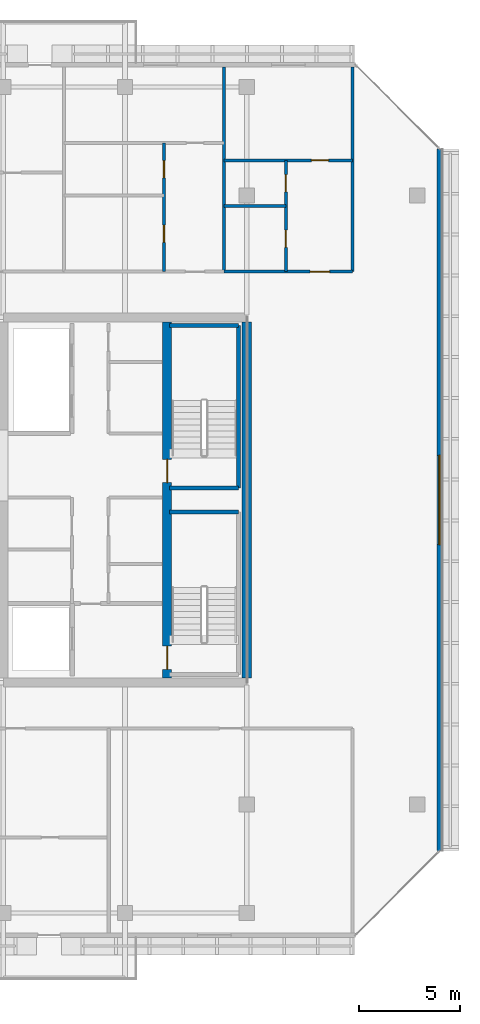
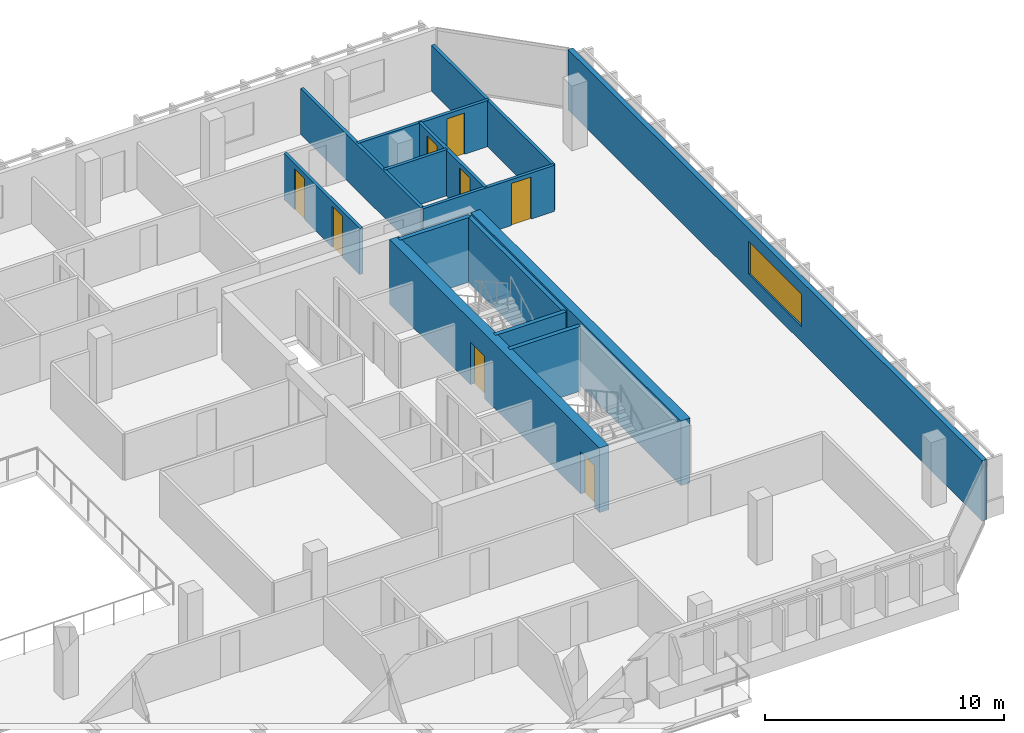
# One storey, part 19 of 25: 14 walls, 8 doors, 1 window, 9 openings.
"""IFC4 building model written with IfcOpenShell, lengths in metres."""

from ifc_helpers import new_model, si_unit, direction, frame, frame_2d, origin, place, context, subcontext, project, spatial, rectangle, extrude, material, layer, layer_set, type_object, element, fill, save


model = new_model("IFC4")

# Units and contexts
model_context = context("Model", 3, precision=1e-05, world=origin(), true_north=direction((0.0, 1.0)))
body_context = subcontext(model_context, "Body", "Model", "MODEL_VIEW")
ifc_project = project(units=[si_unit("LENGTHUNIT", "METRE"), si_unit("AREAUNIT", "SQUARE_METRE"), si_unit("VOLUMEUNIT", "CUBIC_METRE"), si_unit("PLANEANGLEUNIT", "RADIAN"), si_unit("MASSUNIT", "GRAM", prefix="KILO")], contexts=[model_context])

# Site, building, storey
site_placement = place(None, origin())
site = spatial("IfcSite", under=ifc_project, at=site_placement, CompositionType="ELEMENT")
building_placement = place(site_placement, origin())
building = spatial("IfcBuilding", under=site, at=building_placement, Name="Tanjung Sevakor Pilgrim Tower", CompositionType="ELEMENT")
storey_placement = place(building_placement, frame((0.0, 0.0, 204.929931640625)))
storey = spatial("IfcBuildingStorey", under=building, at=storey_placement, Name="L57", CompositionType="ELEMENT", Elevation=204.929931640625)

# Wall
ifc_material_1 = material(Name="Concrete C60/75", Category="concrete")
ifc_layer_1 = layer(ifc_material_1, 0.449951171875)
ifc_layer_set_1 = layer_set([ifc_layer_1], Name="WALL-CW-450")
wall_type_1 = type_object("IfcWallType", Name="WALL-CW-450", PredefinedType="SHEAR", material=ifc_layer_set_1)
wall_1_placement = place(storey_placement, frame((90.0, 24.824951171875, 0.0), z_axis=(0.0, 0.0, 1.0), x_axis=(0.0, 1.0, 0.0)))
element("IfcWall", 1, at=wall_1_placement, inside=storey, type_object=wall_type_1, Name="L57 E Core Outer Shear Wall", PredefinedType="SHEAR", context=body_context, shape_type="SweptSolid", body=[
    extrude(rectangle(XDim=17.550048828125, YDim=0.449951171875, at=frame_2d((8.77490234375, 0.0))), origin(), (0.0, 0.0, 1.0), 3.300048828125),
])

# Wall, openings, doors
wall_2_placement = place(storey_placement, frame((86.074951171875, 24.824951171875, 0.0), z_axis=(0.0, 0.0, 1.0), x_axis=(0.0, 1.0, 0.0)))
wall_2 = element("IfcWall", 2, at=wall_2_placement, inside=storey, type_object=wall_type_1, Name="L57 E Core Stair Spine Wall", PredefinedType="SHEAR", context=body_context, shape_type="SweptSolid", body=[
    extrude(rectangle(XDim=17.550048828125, YDim=0.449951171875, at=frame_2d((8.77490234375, 0.0))), origin(), (0.0, 0.0, 1.0), 3.300048828125),
])
opening_1_placement = place(wall_2_placement, frame((0.425048828125, 0.0, 0.0)))
opening_1 = element("IfcOpeningElement", 3, at=opening_1_placement, cuts=wall_2, Name="Opening ID-ST1", PredefinedType="OPENING", context=body_context, shape_type="SweptSolid", body=[
    extrude(rectangle(XDim=1.14990234375, YDim=2.14990234375, at=frame_2d((0.574951171875, 1.074951171875))), frame((0.0, 0.23486328125, 0.0), z_axis=(0.0, -1.0, 0.0), x_axis=(1.0, 0.0, 0.0)), (0.0, 0.0, 1.0), 0.469970703125),
])
opening_2_placement = place(wall_2_placement, frame((9.625, 0.0, 0.0)))
opening_2 = element("IfcOpeningElement", 4, at=opening_2_placement, cuts=wall_2, Name="Opening ID-ST1", PredefinedType="OPENING", context=body_context, shape_type="SweptSolid", body=[
    extrude(rectangle(XDim=1.14990234375, YDim=2.14990234375, at=frame_2d((0.574951171875, 1.074951171875))), frame((0.0, 0.23486328125, 0.0), z_axis=(0.0, -1.0, 0.0), x_axis=(1.0, 0.0, 0.0)), (0.0, 0.0, 1.0), 0.469970703125),
])
ifc_material_2 = material(Name="Fire-Rated Steel S355J2", Category="steel")
door_type_1 = type_object("IfcDoorType", Name="DT-FIRE-1150", OperationType="NOTDEFINED", PredefinedType="DOOR", material=ifc_material_2)
door_1_placement = place(opening_1_placement, origin())
door_1 = element("IfcDoor", 5, at=door_1_placement, inside=storey, type_object=door_type_1, Name="L57 TS-E1 Stair Fire Door", OperationType="SINGLE_SWING_RIGHT", OverallHeight=2.14990234375, OverallWidth=1.14990234375, PredefinedType="DOOR", context=body_context, shape_type="SweptSolid", body=[
    extrude(rectangle(XDim=1.14990234375, YDim=2.14990234375, at=frame_2d((0.574951171875, 1.074951171875))), frame((0.0, 0.02490234375, 0.0), z_axis=(0.0, -1.0, 0.0), x_axis=(1.0, 0.0, 0.0)), (0.0, 0.0, 1.0), 0.050048828125),
])
fill(opening_1, door_1)
door_2_placement = place(opening_2_placement, origin())
door_2 = element("IfcDoor", 6, at=door_2_placement, inside=storey, type_object=door_type_1, Name="L57 TS-E2 Stair Fire Door", OperationType="SINGLE_SWING_LEFT", OverallHeight=2.14990234375, OverallWidth=1.14990234375, PredefinedType="DOOR", context=body_context, shape_type="SweptSolid", body=[
    extrude(rectangle(XDim=1.14990234375, YDim=2.14990234375, at=frame_2d((0.574951171875, 1.074951171875))), frame((0.0, 0.02490234375, 0.0), z_axis=(0.0, -1.0, 0.0), x_axis=(1.0, 0.0, 0.0)), (0.0, 0.0, 1.0), 0.050048828125),
])
fill(opening_2, door_2)

# Walls
ifc_material_3 = material(Name="Concrete C40/50", Category="concrete")
ifc_layer_2 = layer(ifc_material_3, 0.14990234375)
ifc_layer_set_2 = layer_set([ifc_layer_2], Name="WT-COMP-150")
wall_type_2 = type_object("IfcWallType", Name="WT-COMP-150", PredefinedType="SOLIDWALL", material=ifc_layer_set_2)
for number, where, z_axis, x_axis, name in (
    (7, (95.199951171875, 44.85009765625, 0.0), (0.0, 0.0, 1.0), (0.0, 1.0, 0.0), "L57 Partition IW-L57-081"),
    (8, (88.884521484375, 44.85009765625, 0.0), (0.0, 0.0, 1.0), (0.0, 1.0, 0.0), "L57 Partition IW-L57-096"),
):
    element("IfcWall", number, at=place(storey_placement, frame(where, z_axis=z_axis, x_axis=x_axis)), inside=storey, type_object=wall_type_2, Name=name, PredefinedType="SOLIDWALL", context=body_context, shape_type="SweptSolid", body=[
        extrude(rectangle(XDim=10.079833984375, YDim=0.14990234375, at=frame_2d((5.0400390625, 0.0))), origin(), (0.0, 0.0, 1.0), 2.35009765625),
    ])

# Wall, opening, door
wall_3_placement = place(storey_placement, frame((88.884521484375, 44.85009765625, 0.0), z_axis=(0.0, 0.0, 1.0), x_axis=(1.0, 0.0, 0.0)))
wall_3 = element("IfcWall", 9, at=wall_3_placement, inside=storey, type_object=wall_type_2, Name="L57 Partition IW-L57-104", PredefinedType="SOLIDWALL", context=body_context, shape_type="SweptSolid", body=[
    extrude(rectangle(XDim=6.3154296875, YDim=0.14990234375, at=frame_2d((3.15771484375, 0.0))), origin(), (0.0, 0.0, 1.0), 2.35009765625),
])
opening_3_placement = place(wall_3_placement, frame((4.240478515625, 0.0, 0.0)))
opening_3 = element("IfcOpeningElement", 10, at=opening_3_placement, cuts=wall_3, Name="Opening ID-FD2", PredefinedType="OPENING", context=body_context, shape_type="SweptSolid", body=[
    extrude(rectangle(XDim=0.949951171875, YDim=2.14990234375, at=frame_2d((0.47509765625, 1.074951171875))), frame((0.0, 0.0849609375, 0.0), z_axis=(0.0, -1.0, 0.0), x_axis=(1.0, 0.0, 0.0)), (0.0, 0.0, 1.0), 0.169921875),
])
ifc_material_4 = material(Name="Fire-Rated Timber", Category="wood")
door_type_2 = type_object("IfcDoorType", Name="DT-FIRE-950", OperationType="NOTDEFINED", PredefinedType="DOOR", material=ifc_material_4)
door_3_placement = place(opening_3_placement, origin())
door_3 = element("IfcDoor", 11, at=door_3_placement, inside=storey, type_object=door_type_2, Name="Residence Entrance", OperationType="SINGLE_SWING_LEFT", OverallHeight=2.14990234375, OverallWidth=0.949951171875, PredefinedType="DOOR", context=body_context, shape_type="SweptSolid", body=[
    extrude(rectangle(XDim=0.949951171875, YDim=2.14990234375, at=frame_2d((0.47509765625, 1.074951171875))), frame((0.0, 0.02490234375, 0.0), z_axis=(0.0, -1.0, 0.0), x_axis=(1.0, 0.0, 0.0)), (0.0, 0.0, 1.0), 0.050048828125),
])
fill(opening_3, door_3)

# Wall, opening, window
ifc_material_5 = material(Name="Precast concrete C45/55", Category="concrete")
ifc_layer_3 = layer(ifc_material_5, 0.219970703125)
ifc_layer_set_3 = layer_set([ifc_layer_3], Name="WT-EW-STN4")
wall_type_3 = type_object("IfcWallType", Name="WT-EW-STN4", PredefinedType="SOLIDWALL", material=ifc_layer_set_3)
wall_4_placement = place(storey_placement, frame((99.489990234375, 16.295654296875, 0.0), z_axis=(0.0, 0.0, 1.0), x_axis=(0.0, 1.0, 0.0)))
wall_4 = element("IfcWall", 12, at=wall_4_placement, inside=storey, type_object=wall_type_3, Name="L57 MAIN Exterior Wall 7", PredefinedType="SOLIDWALL", context=body_context, shape_type="SweptSolid", body=[
    extrude(rectangle(XDim=34.608642578125, YDim=0.219970703125, at=frame_2d((17.30419921875, 0.0))), origin(), (0.0, 0.0, 1.0), 3.080078125),
])
opening_4_placement = place(wall_4_placement, frame((15.1044921875, 0.0, 0.780029296875)))
opening_4 = element("IfcOpeningElement", 13, at=opening_4_placement, cuts=wall_4, Name="Opening WN-ENDW-1660", PredefinedType="OPENING", context=body_context, shape_type="SweptSolid", body=[
    extrude(rectangle(XDim=4.39990234375, YDim=1.659912109375, at=frame_2d((2.199951171875, 0.830078125))), frame((0.0, 0.119873046875, 0.0), z_axis=(0.0, -1.0, 0.0), x_axis=(1.0, 0.0, 0.0)), (0.0, 0.0, 1.0), 0.239990234375),
])
ifc_material_6 = material(Name="Thermally Broken Aluminium and Low-E Glass", Category="aluminium")
window_type = type_object("IfcWindowType", Name="WTYP-WN-ENDW-1660", PartitioningType="DOUBLE_PANEL_VERTICAL", PredefinedType="WINDOW", material=ifc_material_6)
window_placement = place(opening_4_placement, origin())
window = element("IfcWindow", 14, at=window_placement, inside=storey, type_object=window_type, Name="L57 Facade Window 01", OverallHeight=1.659912109375, OverallWidth=4.39990234375, PartitioningType="SINGLE_PANEL", PredefinedType="WINDOW", context=body_context, shape_type="SweptSolid", body=[
    extrude(rectangle(XDim=4.39990234375, YDim=1.659912109375, at=frame_2d((2.199951171875, 0.830078125))), frame((0.0, 0.030029296875, 0.0), z_axis=(0.0, -1.0, 0.0), x_axis=(1.0, 0.0, 0.0)), (0.0, 0.0, 1.0), 0.06005859375),
])
fill(opening_4, window)

# Walls
ifc_material_7 = material(Name="Concrete C40/50", Category="concrete")
ifc_layer_4 = layer(ifc_material_7, 0.199951171875)
ifc_layer_set_4 = layer_set([ifc_layer_4], Name="WT-FIRE-200")
wall_type_4 = type_object("IfcWallType", Name="WT-FIRE-200", PredefinedType="SOLIDWALL", material=ifc_layer_set_4)
for number, where, z_axis, x_axis, name in (
    (15, (89.60009765625, 33.0, 0.0), (0.0, 0.0, 1.0), (-1.0, 0.0, 0.0), "L57 TS-E1 Shaft Wall 3"),
    (16, (86.199951171875, 34.199951171875, 0.0), (0.0, 0.0, 1.0), (1.0, 0.0, 0.0), "L57 TS-E2 Shaft Wall 1"),
):
    element("IfcWall", number, at=place(storey_placement, frame(where, z_axis=z_axis, x_axis=x_axis)), inside=storey, type_object=wall_type_4, Name=name, PredefinedType="SOLIDWALL", context=body_context, shape_type="SweptSolid", body=[
        extrude(rectangle(XDim=3.400146484375, YDim=0.199951171875, at=frame_2d((1.7001953125, 0.0))), origin(), (0.0, 0.0, 1.0), 3.300048828125),
    ])
wall_5_placement = place(storey_placement, frame((89.60009765625, 34.199951171875, 0.0), z_axis=(0.0, 0.0, 1.0), x_axis=(0.0, 1.0, 0.0)))
element("IfcWall", 17, at=wall_5_placement, inside=storey, type_object=wall_type_4, Name="L57 TS-E2 Shaft Wall 2", PredefinedType="SOLIDWALL", context=body_context, shape_type="SweptSolid", body=[
    extrude(rectangle(XDim=8.0, YDim=0.199951171875, at=frame_2d((4.0, 0.0))), origin(), (0.0, 0.0, 1.0), 3.300048828125),
])
wall_6_placement = place(storey_placement, frame((89.60009765625, 42.199951171875, 0.0), z_axis=(0.0, 0.0, 1.0), x_axis=(-1.0, 0.0, 0.0)))
element("IfcWall", 18, at=wall_6_placement, inside=storey, type_object=wall_type_4, Name="L57 TS-E2 Shaft Wall 3", PredefinedType="SOLIDWALL", context=body_context, shape_type="SweptSolid", body=[
    extrude(rectangle(XDim=3.400146484375, YDim=0.199951171875, at=frame_2d((1.7001953125, 0.0))), origin(), (0.0, 0.0, 1.0), 3.300048828125),
])

# Wall, openings, doors
ifc_material_8 = material(Name="Gypsum Board Partition", Category="gypsum board")
ifc_layer_5 = layer(ifc_material_8, 0.14990234375)
ifc_layer_set_5 = layer_set([ifc_layer_5], Name="WT-PART-150")
wall_type_5 = type_object("IfcWallType", Name="WT-PART-150", PredefinedType="PARTITIONING", material=ifc_layer_set_5)
wall_7_placement = place(storey_placement, frame((85.919921875, 44.85009765625, 0.0), z_axis=(0.0, 0.0, 1.0), x_axis=(0.0, 1.0, 0.0)))
wall_7 = element("IfcWall", 19, at=wall_7_placement, inside=storey, type_object=wall_type_5, Name="L57 Partition IW-L57-098", PredefinedType="PARTITIONING", context=body_context, shape_type="SweptSolid", body=[
    extrude(rectangle(XDim=6.343017578125, YDim=0.14990234375, at=frame_2d((3.17138671875, 0.0))), origin(), (0.0, 0.0, 1.0), 2.35009765625),
])
opening_5_placement = place(wall_7_placement, frame((1.4462890625, 0.0, 0.0)))
opening_5 = element("IfcOpeningElement", 20, at=opening_5_placement, cuts=wall_7, Name="Opening ID-WC1", PredefinedType="OPENING", context=body_context, shape_type="SweptSolid", body=[
    extrude(rectangle(XDim=0.85009765625, YDim=2.10009765625, at=frame_2d((0.425048828125, 1.050048828125))), frame((0.0, 0.0849609375, 0.0), z_axis=(0.0, -1.0, 0.0), x_axis=(1.0, 0.0, 0.0)), (0.0, 0.0, 1.0), 0.169921875),
])
opening_6_placement = place(wall_7_placement, frame((4.61767578125, 0.0, 0.0)))
opening_6 = element("IfcOpeningElement", 21, at=opening_6_placement, cuts=wall_7, Name="Opening ID-WC1", PredefinedType="OPENING", context=body_context, shape_type="SweptSolid", body=[
    extrude(rectangle(XDim=0.85009765625, YDim=2.10009765625, at=frame_2d((0.425048828125, 1.050048828125))), frame((0.0, 0.0849609375, 0.0), z_axis=(0.0, -1.0, 0.0), x_axis=(1.0, 0.0, 0.0)), (0.0, 0.0, 1.0), 0.169921875),
])
ifc_material_9 = material(Name="Moisture-Resistant Timber", Category="wood")
door_type_3 = type_object("IfcDoorType", Name="DT-INT-850", OperationType="NOTDEFINED", PredefinedType="DOOR", material=ifc_material_9)
door_4_placement = place(opening_5_placement, origin())
door_4 = element("IfcDoor", 22, at=door_4_placement, inside=storey, type_object=door_type_3, Name="Residence Kitchenette Door", OperationType="SINGLE_SWING_RIGHT", OverallHeight=2.10009765625, OverallWidth=0.85009765625, PredefinedType="DOOR", context=body_context, shape_type="SweptSolid", body=[
    extrude(rectangle(XDim=0.85009765625, YDim=2.10009765625, at=frame_2d((0.425048828125, 1.050048828125))), frame((0.0, 0.02490234375, 0.0), z_axis=(0.0, -1.0, 0.0), x_axis=(1.0, 0.0, 0.0)), (0.0, 0.0, 1.0), 0.050048828125),
])
fill(opening_5, door_4)
door_5_placement = place(opening_6_placement, origin())
door_5 = element("IfcDoor", 23, at=door_5_placement, inside=storey, type_object=door_type_3, Name="Residence Bathroom Door", OperationType="SINGLE_SWING_LEFT", OverallHeight=2.10009765625, OverallWidth=0.85009765625, PredefinedType="DOOR", context=body_context, shape_type="SweptSolid", body=[
    extrude(rectangle(XDim=0.85009765625, YDim=2.10009765625, at=frame_2d((0.425048828125, 1.050048828125))), frame((0.0, 0.02490234375, 0.0), z_axis=(0.0, -1.0, 0.0), x_axis=(1.0, 0.0, 0.0)), (0.0, 0.0, 1.0), 0.050048828125),
])
fill(opening_6, door_5)

# Wall
wall_8_placement = place(storey_placement, frame((88.884521484375, 48.083251953125, 0.0), z_axis=(0.0, 0.0, 1.0), x_axis=(1.0, 0.0, 0.0)))
element("IfcWall", 24, at=wall_8_placement, inside=storey, type_object=wall_type_5, Name="L57 Partition IW-L57-101", PredefinedType="PARTITIONING", context=body_context, shape_type="SweptSolid", body=[
    extrude(rectangle(XDim=3.035400390625, YDim=0.14990234375, at=frame_2d((1.517578125, 0.0))), origin(), (0.0, 0.0, 1.0), 2.35009765625),
])

# Wall, openings, doors
wall_9_placement = place(storey_placement, frame((91.919921875, 44.85009765625, 0.0), z_axis=(0.0, 0.0, 1.0), x_axis=(0.0, 1.0, 0.0)))
wall_9 = element("IfcWall", 25, at=wall_9_placement, inside=storey, type_object=wall_type_5, Name="L57 Partition IW-L57-102", PredefinedType="PARTITIONING", context=body_context, shape_type="SweptSolid", body=[
    extrude(rectangle(XDim=5.47998046875, YDim=0.14990234375, at=frame_2d((2.739990234375, 0.0))), origin(), (0.0, 0.0, 1.0), 2.35009765625),
])
opening_7_placement = place(wall_9_placement, frame((1.191650390625, 0.0, 0.0)))
opening_7 = element("IfcOpeningElement", 26, at=opening_7_placement, cuts=wall_9, Name="Opening ID-WC1", PredefinedType="OPENING", context=body_context, shape_type="SweptSolid", body=[
    extrude(rectangle(XDim=0.85009765625, YDim=2.10009765625, at=frame_2d((0.425048828125, 1.050048828125))), frame((0.0, 0.0849609375, 0.0), z_axis=(0.0, -1.0, 0.0), x_axis=(1.0, 0.0, 0.0)), (0.0, 0.0, 1.0), 0.169921875),
])
opening_8_placement = place(wall_9_placement, frame((3.931640625, 0.0, 0.0)))
opening_8 = element("IfcOpeningElement", 27, at=opening_8_placement, cuts=wall_9, Name="Opening ID-WC1", PredefinedType="OPENING", context=body_context, shape_type="SweptSolid", body=[
    extrude(rectangle(XDim=0.85009765625, YDim=2.10009765625, at=frame_2d((0.425048828125, 1.050048828125))), frame((0.0, 0.0849609375, 0.0), z_axis=(0.0, -1.0, 0.0), x_axis=(1.0, 0.0, 0.0)), (0.0, 0.0, 1.0), 0.169921875),
])
door_6_placement = place(opening_7_placement, origin())
door_6 = element("IfcDoor", 28, at=door_6_placement, inside=storey, type_object=door_type_3, Name="Residence Kitchenette Door", OperationType="SINGLE_SWING_RIGHT", OverallHeight=2.10009765625, OverallWidth=0.85009765625, PredefinedType="DOOR", context=body_context, shape_type="SweptSolid", body=[
    extrude(rectangle(XDim=0.85009765625, YDim=2.10009765625, at=frame_2d((0.425048828125, 1.050048828125))), frame((0.0, 0.02490234375, 0.0), z_axis=(0.0, -1.0, 0.0), x_axis=(1.0, 0.0, 0.0)), (0.0, 0.0, 1.0), 0.050048828125),
])
fill(opening_7, door_6)
door_7_placement = place(opening_8_placement, origin())
door_7 = element("IfcDoor", 29, at=door_7_placement, inside=storey, type_object=door_type_3, Name="Residence Bathroom Door", OperationType="SINGLE_SWING_LEFT", OverallHeight=2.10009765625, OverallWidth=0.85009765625, PredefinedType="DOOR", context=body_context, shape_type="SweptSolid", body=[
    extrude(rectangle(XDim=0.85009765625, YDim=2.10009765625, at=frame_2d((0.425048828125, 1.050048828125))), frame((0.0, 0.02490234375, 0.0), z_axis=(0.0, -1.0, 0.0), x_axis=(1.0, 0.0, 0.0)), (0.0, 0.0, 1.0), 0.050048828125),
])
fill(opening_8, door_7)

# Wall, opening, door
wall_10_placement = place(storey_placement, frame((88.884521484375, 50.330078125, 0.0), z_axis=(0.0, 0.0, 1.0), x_axis=(1.0, 0.0, 0.0)))
wall_10 = element("IfcWall", 30, at=wall_10_placement, inside=storey, type_object=wall_type_5, Name="L57 Partition IW-L57-103", PredefinedType="PARTITIONING", context=body_context, shape_type="SweptSolid", body=[
    extrude(rectangle(XDim=6.3154296875, YDim=0.14990234375, at=frame_2d((3.15771484375, 0.0))), origin(), (0.0, 0.0, 1.0), 2.35009765625),
])
opening_9_placement = place(wall_10_placement, frame((4.29052734375, 0.0, 0.0)))
opening_9 = element("IfcOpeningElement", 31, at=opening_9_placement, cuts=wall_10, Name="Opening ID-WC1", PredefinedType="OPENING", context=body_context, shape_type="SweptSolid", body=[
    extrude(rectangle(XDim=0.85009765625, YDim=2.10009765625, at=frame_2d((0.425048828125, 1.050048828125))), frame((0.0, 0.0849609375, 0.0), z_axis=(0.0, -1.0, 0.0), x_axis=(1.0, 0.0, 0.0)), (0.0, 0.0, 1.0), 0.169921875),
])
door_8_placement = place(opening_9_placement, origin())
door_8 = element("IfcDoor", 32, at=door_8_placement, inside=storey, type_object=door_type_3, Name="Residence Bedroom Door", OperationType="SINGLE_SWING_RIGHT", OverallHeight=2.10009765625, OverallWidth=0.85009765625, PredefinedType="DOOR", context=body_context, shape_type="SweptSolid", body=[
    extrude(rectangle(XDim=0.85009765625, YDim=2.10009765625, at=frame_2d((0.425048828125, 1.050048828125))), frame((0.0, 0.02490234375, 0.0), z_axis=(0.0, -1.0, 0.0), x_axis=(1.0, 0.0, 0.0)), (0.0, 0.0, 1.0), 0.050048828125),
])
fill(opening_9, door_8)

save(model, "model.ifc")
